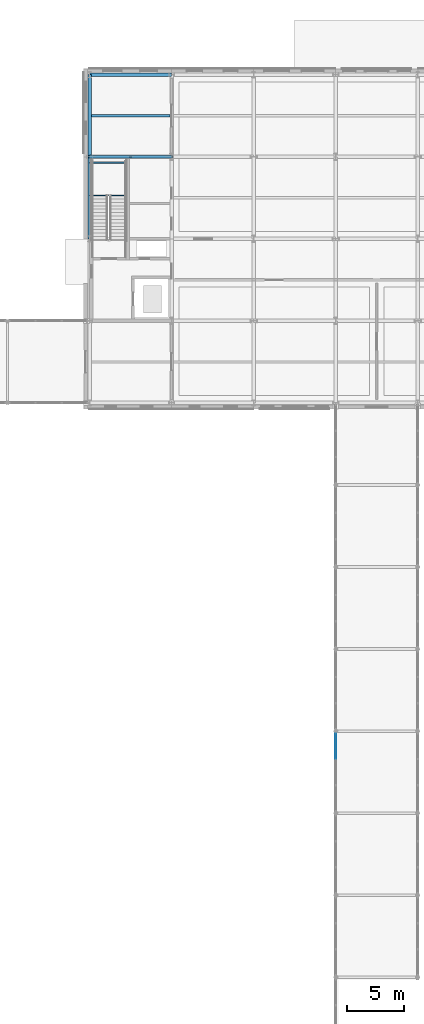
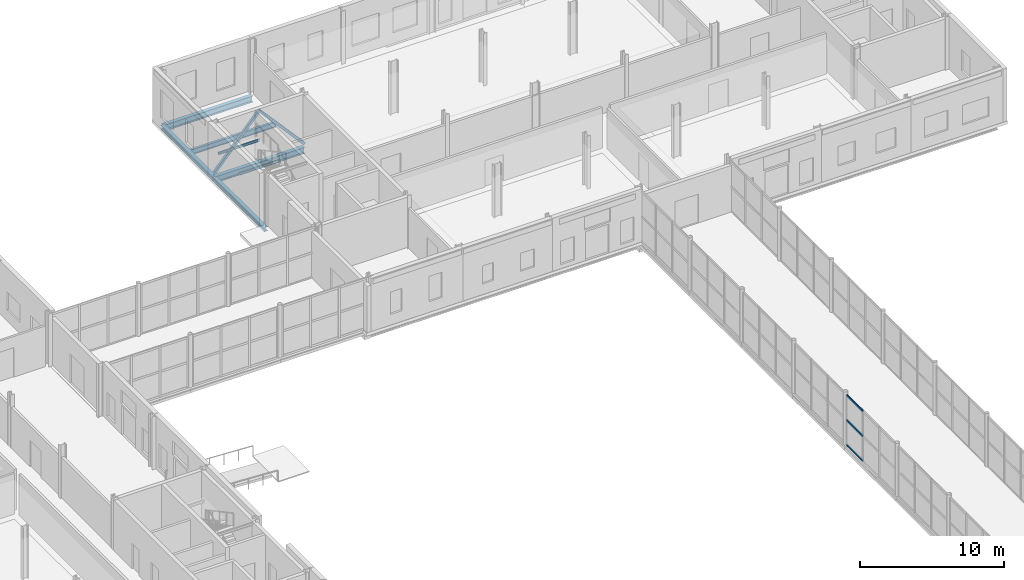
# One storey, part 35 of 92: 7 beams, 5 members, 1 element without a shape of its own.
"""IFC4 building model written with IfcOpenShell, lengths in metres."""

from ifc_helpers import new_model, si_unit, direction, frame, origin, origin_2d, place, context, subcontext, project, spatial, rectangle, hollow_rectangle, i_section, extrude, material, material_profile, profile_set, type_object, element, aggregate, save


model = new_model("IFC4")

# Units and contexts
model_context = context("Model", 3, precision=1e-05, world=origin(), true_north=direction((0.0, 1.0)))
body_context = subcontext(model_context, "Body", "Model", "MODEL_VIEW")
ifc_project = project(units=[si_unit("LENGTHUNIT", "METRE"), si_unit("AREAUNIT", "SQUARE_METRE"), si_unit("VOLUMEUNIT", "CUBIC_METRE"), si_unit("PLANEANGLEUNIT", "RADIAN"), si_unit("MASSUNIT", "GRAM", prefix="KILO")], contexts=[model_context])

# Site, building, storey
site_placement = place(None, origin())
site = spatial("IfcSite", under=ifc_project, at=site_placement, CompositionType="ELEMENT")
building_placement = place(site_placement, origin())
building = spatial("IfcBuilding", under=site, at=building_placement, Name="Zlatovets Crest Museum", CompositionType="ELEMENT")
storey_placement = place(building_placement, origin())
storey = spatial("IfcBuildingStorey", under=building, at=storey_placement, Name="L00", CompositionType="ELEMENT", Elevation=0.0)

# Beams
ifc_material_1 = material(Name="Structural steel S355J2", Category="steel")
ifc_material_profile_1 = material_profile(ifc_material_1, i_section(OverallWidth=0.300048828125, OverallDepth=0.35009765625, WebThickness=0.010009765625, FlangeThickness=0.017578125, FilletRadius=0.027099609375, at=origin_2d()), Name="HEA 360")
ifc_profile_set_1 = profile_set([ifc_material_profile_1], Name="Structural steel S355J2")
beam_type_1 = type_object("IfcBeamType", Name="Beam_B-03", PredefinedType="BEAM", material=ifc_profile_set_1)
for number, where, z_axis, x_axis, name in (
    (1, (57.60009765625, 100.800048828125, -0.425048828125), (0.0, 1.0, 0.0), (-1.0, 0.0, 0.0), "V1 L00 Grid Beam B-03"),
    (2, (57.60009765625, 108.0, -0.425048828125), (0.0, 1.0, 0.0), (-1.0, 0.0, 0.0), "V1 L00 Grid Beam B-03"),
):
    element("IfcBeam", number, at=place(storey_placement, frame(where, z_axis=z_axis, x_axis=x_axis)), inside=storey, type_object=beam_type_1, Name=name, PredefinedType="BEAM", context=body_context, shape_type="SweptSolid", body=[
        extrude(i_section(OverallWidth=0.300048828125, OverallDepth=0.35009765625, WebThickness=0.010009765625, FlangeThickness=0.017578125, FilletRadius=0.027099609375, at=origin_2d()), origin(), (0.0, 0.0, 1.0), 7.199951171875),
    ])
ifc_material_profile_2 = material_profile(ifc_material_1, i_section(OverallWidth=0.300048828125, OverallDepth=0.5400390625, WebThickness=0.012451171875, FlangeThickness=0.02392578125, FilletRadius=0.027099609375, at=origin_2d()), Name="HEA 550")
ifc_profile_set_2 = profile_set([ifc_material_profile_2], Name="Structural steel S355J2")
beam_type_2 = type_object("IfcBeamType", Name="Beam_B-09", PredefinedType="BEAM", material=ifc_profile_set_2)
for number, where, z_axis, x_axis, name in (
    (3, (57.60009765625, 108.0, -0.52001953125), (1.0, 0.0, 0.0), (0.0, 1.0, 0.0), "V1 L00 Primary Girder B-09"),
    (4, (57.60009765625, 115.199951171875, -0.52001953125), (1.0, 0.0, 0.0), (0.0, 1.0, 0.0), "V1 L00 Primary Girder B-09"),
):
    element("IfcBeam", number, at=place(storey_placement, frame(where, z_axis=z_axis, x_axis=x_axis)), inside=storey, type_object=beam_type_2, Name=name, PredefinedType="BEAM", context=body_context, shape_type="SweptSolid", body=[
        extrude(i_section(OverallWidth=0.300048828125, OverallDepth=0.5400390625, WebThickness=0.012451171875, FlangeThickness=0.02392578125, FilletRadius=0.027099609375, at=origin_2d()), origin(), (0.0, 0.0, 1.0), 7.199951171875),
    ])
ifc_material_profile_3 = material_profile(ifc_material_1, i_section(OverallWidth=0.18994140625, OverallDepth=0.449951171875, WebThickness=0.009521484375, FlangeThickness=0.0146484375, FilletRadius=0.02099609375, at=origin_2d()), Name="IPE 450")
ifc_profile_set_3 = profile_set([ifc_material_profile_3], Name="Structural steel S355J2")
beam_type_3 = type_object("IfcBeamType", Name="Beam_J-05", PredefinedType="JOIST", material=ifc_profile_set_3)
beam_placement = place(storey_placement, frame((57.75, 111.60009765625, -0.47509765625), z_axis=(1.0, 0.0, 0.0), x_axis=(0.0, 1.0, 0.0)))
element("IfcBeam", 5, at=beam_placement, inside=storey, type_object=beam_type_3, Name="V1 L00 Composite Joist J-05", PredefinedType="JOIST", context=body_context, shape_type="SweptSolid", body=[
    extrude(i_section(OverallWidth=0.18994140625, OverallDepth=0.449951171875, WebThickness=0.009521484375, FlangeThickness=0.0146484375, FilletRadius=0.02099609375, at=origin_2d()), origin(), (0.0, 0.0, 1.0), 6.89990234375),
])
ifc_material_profile_4 = material_profile(ifc_material_1, i_section(OverallWidth=0.10009765625, OverallDepth=0.199951171875, WebThickness=0.005615234375, FlangeThickness=0.008544921875, FilletRadius=0.011962890625, at=origin_2d()), Name="IPE 200")
ifc_profile_set_4 = profile_set([ifc_material_profile_4], Name="Structural steel S355J2")
beam_type_4 = type_object("IfcBeamType", Name="Beam_PR-02", PredefinedType="LINTEL", material=ifc_profile_set_4)
for number, where, z_axis, x_axis, name in (
    (6, (57.60009765625, 104.60009765625, 1.949951171875), (1.0, 0.0, 0.0), (0.0, 1.0, 0.0), "Core C1 L00 Half-Landing Support Beam"),
    (7, (57.60009765625, 107.47998046875, 1.949951171875), (1.0, 0.0, 0.0), (0.0, 1.0, 0.0), "Core C1 L00 Half-Landing Support Beam"),
):
    element("IfcBeam", number, at=place(storey_placement, frame(where, z_axis=z_axis, x_axis=x_axis)), inside=storey, type_object=beam_type_4, Name=name, PredefinedType="LINTEL", context=body_context, shape_type="SweptSolid", body=[
        extrude(i_section(OverallWidth=0.10009765625, OverallDepth=0.199951171875, WebThickness=0.005615234375, FlangeThickness=0.008544921875, FilletRadius=0.011962890625, at=origin_2d()), origin(), (0.0, 0.0, 1.0), 3.349853515625),
    ])

# Curtain wall, members
ifc_material_2 = material(Name="Bronze-anodised aluminium and low-E triple glass", Category="aluminium")
curtain_wall_type = type_object("IfcCurtainWallType", Name="CW_CW-BR5-L00-S69", PredefinedType="NOTDEFINED", material=ifc_material_2)
curtain_wall_placement = place(storey_placement, origin())
curtain_wall = element("IfcCurtainWall", 8, at=curtain_wall_placement, inside=storey, type_object=curtain_wall_type, Name="Central Sculpture Court Cloister and Skywalk L00 Glazed Bridge Curtain Wall", PredefinedType="NOTDEFINED")
ifc_material_3 = material(Name="Bronze-anodised aluminium EN AW-6060", Category="aluminium")
ifc_material_profile_5 = material_profile(ifc_material_3, rectangle(XDim=0.080078125, YDim=0.159912109375, at=origin_2d()), Name="ALU 80x160")
ifc_profile_set_5 = profile_set([ifc_material_profile_5], Name="Bronze-anodised aluminium EN AW-6060")
member_type_1 = type_object("IfcMemberType", Name="CWTrans_T1", PredefinedType="USERDEFINED", material=ifc_profile_set_5)
member_1_placement = place(storey_placement, frame((79.199951171875, 55.179931640625, 0.030029296875), z_axis=(0.0, 1.0, 0.0), x_axis=(-1.0, 0.0, 0.0)))
member_1 = element("IfcMember", 9, at=member_1_placement, type_object=member_type_1, Name="CW-BR5-L00-S69 transom 3.1", ObjectType="TRANSOM", PredefinedType="USERDEFINED", context=body_context, shape_type="SweptSolid", body=[
    extrude(rectangle(XDim=0.080078125, YDim=0.159912109375, at=origin_2d()), origin(), (0.0, 0.0, 1.0), 2.2099609375),
])
member_2_placement = place(storey_placement, frame((79.199951171875, 55.179931640625, 2.139892578125), z_axis=(0.0, 1.0, 0.0), x_axis=(-1.0, 0.0, 0.0)))
member_2 = element("IfcMember", 10, at=member_2_placement, type_object=member_type_1, Name="CW-BR5-L00-S69 transom 3.2", ObjectType="TRANSOM", PredefinedType="USERDEFINED", context=body_context, shape_type="SweptSolid", body=[
    extrude(rectangle(XDim=0.080078125, YDim=0.159912109375, at=origin_2d()), origin(), (0.0, 0.0, 1.0), 2.2099609375),
])
member_3_placement = place(storey_placement, frame((79.199951171875, 55.179931640625, 4.25), z_axis=(0.0, 1.0, 0.0), x_axis=(-1.0, 0.0, 0.0)))
member_3 = element("IfcMember", 11, at=member_3_placement, type_object=member_type_1, Name="CW-BR5-L00-S69 transom 3.3", ObjectType="TRANSOM", PredefinedType="USERDEFINED", context=body_context, shape_type="SweptSolid", body=[
    extrude(rectangle(XDim=0.080078125, YDim=0.159912109375, at=origin_2d()), origin(), (0.0, 0.0, 1.0), 2.2099609375),
])
aggregate(curtain_wall, [member_1, member_2, member_3])

# Members
ifc_material_profile_6 = material_profile(ifc_material_1, hollow_rectangle(XDim=0.219970703125, YDim=0.219970703125, WallThickness=0.012451171875, InnerFilletRadius=0.012451171875, OuterFilletRadius=0.02490234375, at=origin_2d()), Name="SHS 220x220x12.5")
ifc_profile_set_6 = profile_set([ifc_material_profile_6], Name="Structural steel S355J2")
member_type_2 = type_object("IfcMemberType", Name="Member_BR-07", PredefinedType="BRACE", material=ifc_profile_set_6)
for number, where, z_axis, x_axis, name in (
    (12, (57.60009765625, 108.0, 0.0), (0.664344262737, 0.0, 0.747426719196), (0.0, 1.0, 0.0), "V1 L00 Concentric Seismic Brace"),
    (13, (64.800048828125, 108.0, 0.0), (-0.664369431748, 0.0, 0.747404347163), (0.0, -1.0, 0.0), "V1 L00 Concentric Seismic Brace"),
):
    element("IfcMember", number, at=place(storey_placement, frame(where, z_axis=z_axis, x_axis=x_axis)), inside=storey, type_object=member_type_2, Name=name, PredefinedType="BRACE", context=body_context, shape_type="SweptSolid", body=[
        extrude(hollow_rectangle(XDim=0.219970703125, YDim=0.219970703125, WallThickness=0.012451171875, InnerFilletRadius=0.012451171875, OuterFilletRadius=0.02490234375, at=origin_2d()), origin(), (0.0, 0.0, 1.0), 5.418701171875),
    ])

save(model, "model.ifc")
